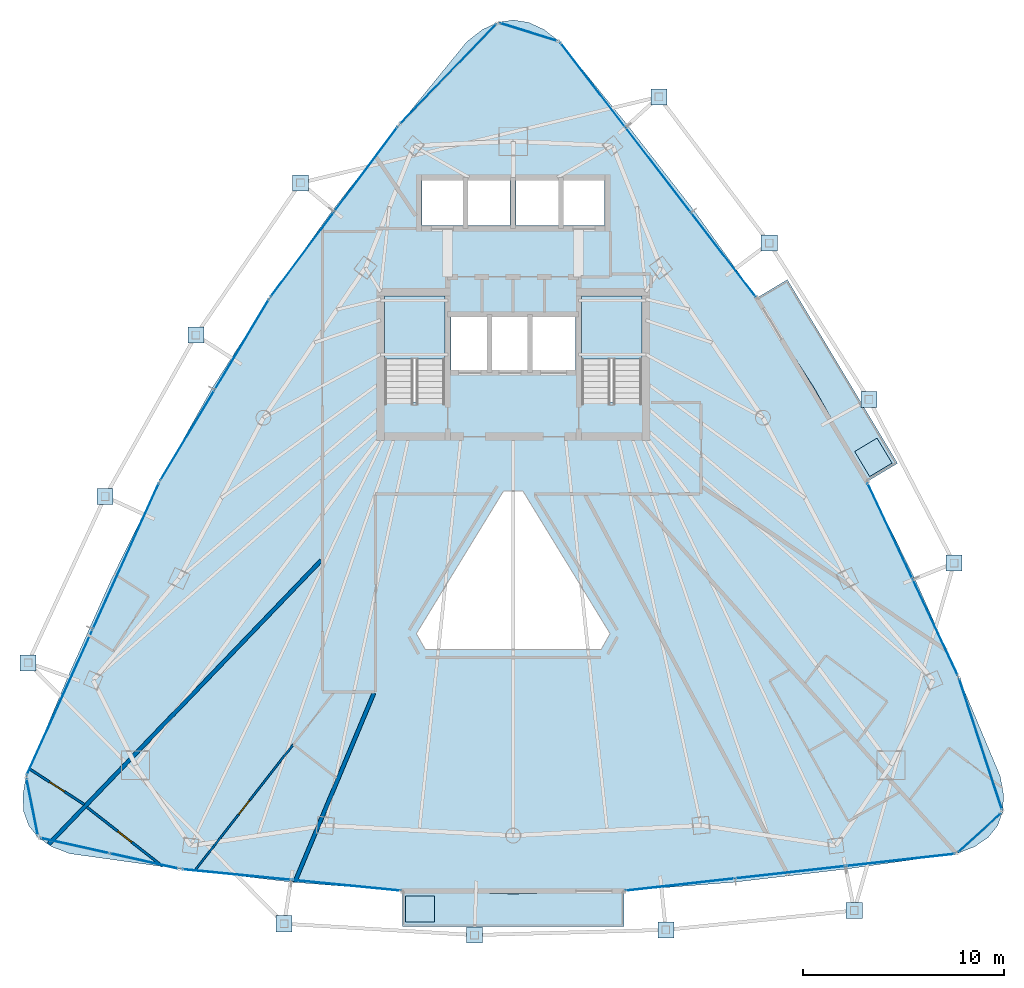
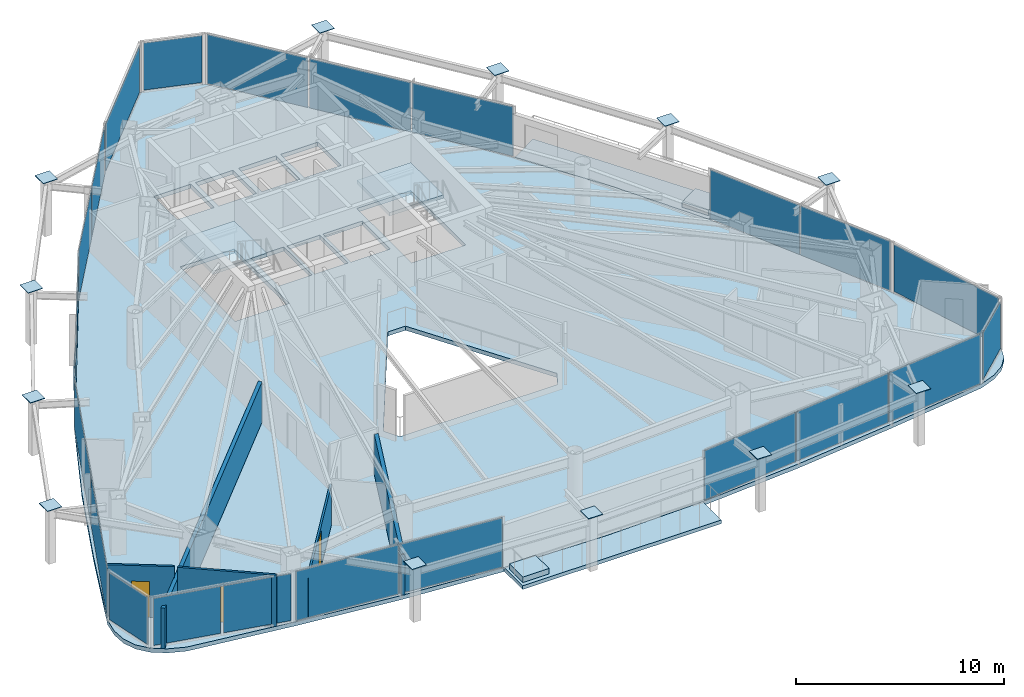
# One storey, part 25 of 31: 35 plates, 7 slabs, 5 walls, 3 doors, 3 openings, 15 elements without a shape of their own.
"""IFC4 building model written with IfcOpenShell, lengths in metres."""

from ifc_helpers import new_model, si_unit, direction, frame, frame_2d, origin, origin_2d, place, context, subcontext, project, spatial, polyline, rectangle, outline, extrude, material, layer, layer_set, type_object, element, fill, aggregate, save


model = new_model("IFC4")

# Units and contexts
model_context = context("Model", 3, precision=1e-05, world=origin(), true_north=direction((0.0, 1.0)))
body_context = subcontext(model_context, "Body", "Model", "MODEL_VIEW")
ifc_project = project(units=[si_unit("LENGTHUNIT", "METRE"), si_unit("AREAUNIT", "SQUARE_METRE"), si_unit("VOLUMEUNIT", "CUBIC_METRE"), si_unit("PLANEANGLEUNIT", "RADIAN"), si_unit("MASSUNIT", "GRAM", prefix="KILO")], contexts=[model_context])

# Site, building, storey
site_placement = place(None, origin())
site = spatial("IfcSite", under=ifc_project, at=site_placement, CompositionType="ELEMENT")
building_placement = place(site_placement, origin())
building = spatial("IfcBuilding", under=site, at=building_placement, Name="Orvanel Arch Residences", CompositionType="ELEMENT")
storey_placement = place(building_placement, frame((0.0, 0.0, 183.64990234375)))
storey = spatial("IfcBuildingStorey", under=building, at=storey_placement, Name="L52", CompositionType="ELEMENT", Elevation=183.64990234375)

# Plates
ifc_material_1 = material(Name="Structural steel AS/NZS 3678 Grade 350", Category="steel")
ifc_layer_1 = layer(ifc_material_1, 0.031982421875)
ifc_layer_set_1 = layer_set([ifc_layer_1], Name="Structural steel AS/NZS 3678 Grade 350")
plate_type_1 = type_object("IfcPlateType", Name="PL-CAP-32", PredefinedType="SHEET", material=ifc_layer_set_1)
for number, where, z_axis, x_axis, name in (
    (1, (22.4130859375, 39.3330078125, 3.2841796875), (0.0, 0.0, 1.0), (1.0, 0.0, 0.0), "L52 hollow member end cap plate"),
    (2, (17.2119140625, 31.759033203125, 3.2841796875), (0.0, 0.0, 1.0), (1.0, 0.0, 0.0), "L52 hollow member end cap plate"),
    (3, (12.69189453125, 23.721923828125, 3.2841796875), (0.0, 0.0, 1.0), (1.0, 0.0, 0.0), "L52 hollow member end cap plate"),
    (4, (8.85400390625, 15.445068359375, 3.2841796875), (0.0, 0.0, 1.0), (1.0, 0.0, 0.0), "L52 hollow member end cap plate"),
    (5, (21.59912109375, 2.4599609375, 3.2841796875), (0.0, 0.0, 1.0), (1.0, 0.0, 0.0), "L52 hollow member end cap plate"),
    (6, (31.073974609375, 1.89697265625, 3.2841796875), (0.0, 0.0, 1.0), (1.0, 0.0, 0.0), "L52 hollow member end cap plate"),
    (7, (40.593994140625, 2.154052734375, 3.2841796875), (0.0, 0.0, 1.0), (1.0, 0.0, 0.0), "L52 hollow member end cap plate"),
    (8, (49.97509765625, 3.118896484375, 3.2841796875), (0.0, 0.0, 1.0), (1.0, 0.0, 0.0), "L52 hollow member end cap plate"),
    (9, (54.93994140625, 20.406982421875, 3.2841796875), (0.0, 0.0, 1.0), (1.0, 0.0, 0.0), "L52 hollow member end cap plate"),
    (10, (50.7060546875, 28.56005859375, 3.2841796875), (0.0, 0.0, 1.0), (1.0, 0.0, 0.0), "L52 hollow member end cap plate"),
    (11, (45.743896484375, 36.33203125, 3.2841796875), (0.0, 0.0, 1.0), (1.0, 0.0, 0.0), "L52 hollow member end cap plate"),
    (12, (40.2490234375, 43.614990234375, 3.2841796875), (0.0, 0.0, 1.0), (1.0, 0.0, 0.0), "L52 hollow member end cap plate"),
):
    element("IfcPlate", number, at=place(storey_placement, frame(where, z_axis=z_axis, x_axis=x_axis)), inside=storey, type_object=plate_type_1, Name=name, PredefinedType="SHEET", context=body_context, shape_type="SweptSolid", body=[
        extrude(rectangle(XDim=0.800048828125, YDim=0.800048828125, at=origin_2d()), origin(), (0.0, 0.0, 1.0), 0.031982421875),
    ])

# Curtain wall, plates
ifc_material_2 = material(Name="Bronze-anodised aluminium AA6063-T6", Category="aluminium")
ifc_layer_2 = layer(ifc_material_2, 0.179931640625)
ifc_layer_set_2 = layer_set([ifc_layer_2], Name="Bronze-anodised aluminium AA6063-T6")
curtain_wall_type_1 = type_object("IfcCurtainWallType", Name="CW3-MID-SYS", PredefinedType="NOTDEFINED", material=ifc_layer_set_2)
curtain_wall_1_placement = place(storey_placement, origin())
curtain_wall_1 = element("IfcCurtainWall", 13, at=curtain_wall_1_placement, inside=storey, type_object=curtain_wall_type_1, Name="L52 CW3-MID-SYS Unitised Curtain Wall", PredefinedType="NOTDEFINED")
ifc_material_3 = material(Name="Double-glazed solar-control low-E safety glass", Category="glass")
ifc_layer_3 = layer(ifc_material_3, 0.028076171875)
ifc_layer_set_3 = layer_set([ifc_layer_3], Name="Double-glazed solar-control low-E safety glass")
plate_type_2 = type_object("IfcPlateType", Name="PNL-GLZ-28", PredefinedType="CURTAIN_PANEL", material=ifc_layer_set_3)
plate_1_placement = place(storey_placement, frame((25.673583984375, 40.014892578125, 0.06005859375), z_axis=(0.0, 0.0, 1.0), x_axis=(-0.598439994041, -0.801167631356, 0.0)))
plate_1 = element("IfcPlate", 14, at=plate_1_placement, type_object=plate_type_2, Name="CW-S3 panel 1.1", PredefinedType="CURTAIN_PANEL", context=body_context, shape_type="SweptSolid", body=[
    extrude(rectangle(XDim=5.232177734375, YDim=0.028076171875, at=origin_2d()), origin(), (0.0, 0.0, 1.0), 2.89990234375),
])
plate_2_placement = place(storey_placement, frame((22.50048828125, 35.76708984375, 0.06005859375), z_axis=(0.0, 0.0, 1.0), x_axis=(-0.598439994041, -0.801167631356, 0.0)))
plate_2 = element("IfcPlate", 15, at=plate_2_placement, type_object=plate_type_2, Name="CW-S3 panel 2.1", PredefinedType="CURTAIN_PANEL", context=body_context, shape_type="SweptSolid", body=[
    extrude(rectangle(XDim=5.232177734375, YDim=0.028076171875, at=origin_2d()), origin(), (0.0, 0.0, 1.0), 2.89990234375),
])
aggregate(curtain_wall_1, [plate_1, plate_2])

curtain_wall_2_placement = place(storey_placement, origin())
curtain_wall_2 = element("IfcCurtainWall", 16, at=curtain_wall_2_placement, inside=storey, type_object=curtain_wall_type_1, Name="L52 CW3-MID-SYS Unitised Curtain Wall", PredefinedType="NOTDEFINED")
plate_3_placement = place(storey_placement, frame((19.496337890625, 31.2900390625, 0.06005859375), z_axis=(0.0, 0.0, 1.0), x_axis=(-0.514371132502, -0.857567687153, 0.0)))
plate_3 = element("IfcPlate", 17, at=plate_3_placement, type_object=plate_type_2, Name="CW-S3 panel 1.1", PredefinedType="CURTAIN_PANEL", context=body_context, shape_type="SweptSolid", body=[
    extrude(rectangle(XDim=5.205322265625, YDim=0.028076171875, at=origin_2d()), origin(), (0.0, 0.0, 1.0), 2.89990234375),
])
plate_4_placement = place(storey_placement, frame((16.78271484375, 26.76611328125, 0.06005859375), z_axis=(0.0, 0.0, 1.0), x_axis=(-0.514371132502, -0.857567687153, 0.0)))
plate_4 = element("IfcPlate", 18, at=plate_4_placement, type_object=plate_type_2, Name="CW-S3 panel 2.1", PredefinedType="CURTAIN_PANEL", context=body_context, shape_type="SweptSolid", body=[
    extrude(rectangle(XDim=5.205322265625, YDim=0.028076171875, at=origin_2d()), origin(), (0.0, 0.0, 1.0), 2.89990234375),
])
aggregate(curtain_wall_2, [plate_3, plate_4])

curtain_wall_3_placement = place(storey_placement, origin())
curtain_wall_3 = element("IfcCurtainWall", 19, at=curtain_wall_3_placement, inside=storey, type_object=curtain_wall_type_1, Name="L52 CW3-MID-SYS Unitised Curtain Wall", PredefinedType="NOTDEFINED")
plate_5_placement = place(storey_placement, frame((13.726806640625, 20.766357421875, 0.06005859375), z_axis=(0.0, 0.0, 1.0), x_axis=(-0.412530955809, -0.910943582501, 0.0)))
plate_5 = element("IfcPlate", 20, at=plate_5_placement, type_object=plate_type_2, Name="CW-S3 panel 1.1", PredefinedType="CURTAIN_PANEL", context=body_context, shape_type="SweptSolid", body=[
    extrude(rectangle(XDim=7.923583984375, YDim=0.028076171875, at=origin_2d()), origin(), (0.0, 0.0, 1.0), 2.89990234375),
])
plate_6_placement = place(storey_placement, frame((10.42919921875, 13.484619140625, 0.06005859375), z_axis=(0.0, 0.0, 1.0), x_axis=(-0.412530955809, -0.910943582501, 0.0)))
plate_6 = element("IfcPlate", 21, at=plate_6_placement, type_object=plate_type_2, Name="CW-S3 panel 2.1", PredefinedType="CURTAIN_PANEL", context=body_context, shape_type="SweptSolid", body=[
    extrude(rectangle(XDim=7.923583984375, YDim=0.028076171875, at=origin_2d()), origin(), (0.0, 0.0, 1.0), 2.89990234375),
])
aggregate(curtain_wall_3, [plate_5, plate_6])

curtain_wall_4_placement = place(storey_placement, origin())
curtain_wall_4 = element("IfcCurtainWall", 22, at=curtain_wall_4_placement, inside=storey, type_object=curtain_wall_type_1, Name="L52 CW3-MID-SYS Unitised Curtain Wall", PredefinedType="NOTDEFINED")
plate_7_placement = place(storey_placement, frame((19.23828125, 4.906494140625, 0.06005859375), z_axis=(0.0, 0.0, 1.0), x_axis=(0.995215758482, -0.097701556124, 0.0)))
plate_7 = element("IfcPlate", 23, at=plate_7_placement, type_object=plate_type_2, Name="CW-S3 panel 1.1", PredefinedType="CURTAIN_PANEL", context=body_context, shape_type="SweptSolid", body=[
    extrude(rectangle(XDim=5.4169921875, YDim=0.028076171875, at=origin_2d()), origin(), (0.0, 0.0, 1.0), 2.89990234375),
])
plate_8_placement = place(storey_placement, frame((24.69873046875, 4.370361328125, 0.06005859375), z_axis=(0.0, 0.0, 1.0), x_axis=(0.995215758482, -0.097701556124, 0.0)))
plate_8 = element("IfcPlate", 24, at=plate_8_placement, type_object=plate_type_2, Name="CW-S3 panel 2.1", PredefinedType="CURTAIN_PANEL", context=body_context, shape_type="SweptSolid", body=[
    extrude(rectangle(XDim=5.4169921875, YDim=0.028076171875, at=origin_2d()), origin(), (0.0, 0.0, 1.0), 2.89990234375),
])
aggregate(curtain_wall_4, [plate_7, plate_8])

curtain_wall_5_placement = place(storey_placement, origin())
curtain_wall_5 = element("IfcCurtainWall", 25, at=curtain_wall_5_placement, inside=storey, type_object=curtain_wall_type_1, Name="L52 CW3-MID-SYS Unitised Curtain Wall", PredefinedType="NOTDEFINED")
plate_9_placement = place(storey_placement, frame((41.304443359375, 4.408447265625, 0.06005859375), z_axis=(0.0, 0.0, 1.0), x_axis=(0.993811570836, 0.111079078463, 0.0)))
plate_9 = element("IfcPlate", 26, at=plate_9_placement, type_object=plate_type_2, Name="CW-S3 panel 1.1", PredefinedType="CURTAIN_PANEL", context=body_context, shape_type="SweptSolid", body=[
    extrude(rectangle(XDim=5.431640625, YDim=0.028076171875, at=origin_2d()), origin(), (0.0, 0.0, 1.0), 2.89990234375),
])
plate_10_placement = place(storey_placement, frame((46.78955078125, 5.021484375, 0.06005859375), z_axis=(0.0, 0.0, 1.0), x_axis=(0.993811570836, 0.111079078463, 0.0)))
plate_10 = element("IfcPlate", 27, at=plate_10_placement, type_object=plate_type_2, Name="CW-S3 panel 2.1", PredefinedType="CURTAIN_PANEL", context=body_context, shape_type="SweptSolid", body=[
    extrude(rectangle(XDim=5.466552734375, YDim=0.028076171875, at=origin_2d()), origin(), (0.0, 0.0, 1.0), 2.89990234375),
])
plate_11_placement = place(storey_placement, frame((52.2744140625, 5.634521484375, 0.06005859375), z_axis=(0.0, 0.0, 1.0), x_axis=(0.993811570836, 0.111079078463, 0.0)))
plate_11 = element("IfcPlate", 28, at=plate_11_placement, type_object=plate_type_2, Name="CW-S3 panel 3.1", PredefinedType="CURTAIN_PANEL", context=body_context, shape_type="SweptSolid", body=[
    extrude(rectangle(XDim=5.431640625, YDim=0.028076171875, at=origin_2d()), origin(), (0.0, 0.0, 1.0), 2.89990234375),
])
aggregate(curtain_wall_5, [plate_9, plate_10, plate_11])

curtain_wall_6_placement = place(storey_placement, origin())
curtain_wall_6 = element("IfcCurtainWall", 29, at=curtain_wall_6_placement, inside=storey, type_object=curtain_wall_type_1, Name="L52 CW3-MID-SYS Unitised Curtain Wall", PredefinedType="NOTDEFINED")
plate_12_placement = place(storey_placement, frame((54.00634765625, 17.20751953125, 0.06005859375), z_axis=(0.0, 0.0, 1.0), x_axis=(-0.425007396362, 0.905189876787, 0.0)))
plate_12 = element("IfcPlate", 30, at=plate_12_placement, type_object=plate_type_2, Name="CW-S3 panel 1.1", PredefinedType="CURTAIN_PANEL", context=body_context, shape_type="SweptSolid", body=[
    extrude(rectangle(XDim=5.232666015625, YDim=0.028076171875, at=origin_2d()), origin(), (0.0, 0.0, 1.0), 2.89990234375),
])
plate_13_placement = place(storey_placement, frame((51.752685546875, 22.00732421875, 0.06005859375), z_axis=(0.0, 0.0, 1.0), x_axis=(-0.425007396362, 0.905189876787, 0.0)))
plate_13 = element("IfcPlate", 31, at=plate_13_placement, type_object=plate_type_2, Name="CW-S3 panel 2.1", PredefinedType="CURTAIN_PANEL", context=body_context, shape_type="SweptSolid", body=[
    extrude(rectangle(XDim=5.232666015625, YDim=0.028076171875, at=origin_2d()), origin(), (0.0, 0.0, 1.0), 2.89990234375),
])
aggregate(curtain_wall_6, [plate_12, plate_13])

curtain_wall_7_placement = place(storey_placement, origin())
curtain_wall_7 = element("IfcCurtainWall", 32, at=curtain_wall_7_placement, inside=storey, type_object=curtain_wall_type_1, Name="L52 CW3-MID-SYS Unitised Curtain Wall", PredefinedType="NOTDEFINED")
plate_14_placement = place(storey_placement, frame((43.465087890625, 35.75048828125, 0.06005859375), z_axis=(0.0, 0.0, 1.0), x_axis=(-0.609533166868, 0.792760568197, 0.0)))
plate_14 = element("IfcPlate", 33, at=plate_14_placement, type_object=plate_type_2, Name="CW-S3 panel 1.1", PredefinedType="CURTAIN_PANEL", context=body_context, shape_type="SweptSolid", body=[
    extrude(rectangle(XDim=5.2470703125, YDim=0.028076171875, at=origin_2d()), origin(), (0.0, 0.0, 1.0), 2.89990234375),
])
plate_15_placement = place(storey_placement, frame((40.21337890625, 39.9794921875, 0.06005859375), z_axis=(0.0, 0.0, 1.0), x_axis=(-0.609533166868, 0.792760568197, 0.0)))
plate_15 = element("IfcPlate", 34, at=plate_15_placement, type_object=plate_type_2, Name="CW-S3 panel 2.1", PredefinedType="CURTAIN_PANEL", context=body_context, shape_type="SweptSolid", body=[
    extrude(rectangle(XDim=5.2822265625, YDim=0.028076171875, at=origin_2d()), origin(), (0.0, 0.0, 1.0), 2.89990234375),
])
plate_16_placement = place(storey_placement, frame((36.9619140625, 44.208740234375, 0.06005859375), z_axis=(0.0, 0.0, 1.0), x_axis=(-0.609533166868, 0.792760568197, 0.0)))
plate_16 = element("IfcPlate", 35, at=plate_16_placement, type_object=plate_type_2, Name="CW-S3 panel 3.1", PredefinedType="CURTAIN_PANEL", context=body_context, shape_type="SweptSolid", body=[
    extrude(rectangle(XDim=5.2470703125, YDim=0.028076171875, at=origin_2d()), origin(), (0.0, 0.0, 1.0), 2.89990234375),
])
aggregate(curtain_wall_7, [plate_14, plate_15, plate_16])

# Curtain wall, plate
ifc_layer_4 = layer(ifc_material_2, 0.18994140625)
ifc_layer_set_4 = layer_set([ifc_layer_4], Name="Bronze-anodised aluminium AA6063-T6")
curtain_wall_type_2 = type_object("IfcCurtainWallType", Name="CW5-CRN-SYS", PredefinedType="NOTDEFINED", material=ifc_layer_set_4)
curtain_wall_8_placement = place(storey_placement, origin())
curtain_wall_8 = element("IfcCurtainWall", 36, at=curtain_wall_8_placement, inside=storey, type_object=curtain_wall_type_2, Name="L52 CW5-CRN-SYS Unitised Curtain Wall", PredefinedType="NOTDEFINED")
ifc_layer_5 = layer(ifc_material_3, 0.031982421875)
ifc_layer_set_5 = layer_set([ifc_layer_5], Name="Double-glazed solar-control low-E safety glass")
plate_type_3 = type_object("IfcPlateType", Name="PNL-GLZ-32", PredefinedType="CURTAIN_PANEL", material=ifc_layer_set_5)
plate_17_placement = place(storey_placement, frame((33.76953125, 46.839111328125, 0.1298828125), z_axis=(0.0, 0.0, 1.0), x_axis=(-0.954809233142, 0.297219326942, 0.0)))
plate_17 = element("IfcPlate", 37, at=plate_17_placement, type_object=plate_type_3, Name="CW-S5 panel 1.1", PredefinedType="CURTAIN_PANEL", context=body_context, shape_type="SweptSolid", body=[
    extrude(rectangle(XDim=2.8828125, YDim=0.031982421875, at=origin_2d()), origin(), (0.0, 0.0, 1.0), 2.760009765625),
])
aggregate(curtain_wall_8, [plate_17])

curtain_wall_9_placement = place(storey_placement, origin())
curtain_wall_9 = element("IfcCurtainWall", 38, at=curtain_wall_9_placement, inside=storey, type_object=curtain_wall_type_2, Name="L52 CW5-CRN-SYS Unitised Curtain Wall", PredefinedType="NOTDEFINED")
plate_18_placement = place(storey_placement, frame((29.761962890625, 44.75048828125, 0.1298828125), z_axis=(0.0, 0.0, 1.0), x_axis=(-0.693066401393, -0.720873749875, 0.0)))
plate_18 = element("IfcPlate", 39, at=plate_18_placement, type_object=plate_type_3, Name="CW-S5 panel 1.1", PredefinedType="CURTAIN_PANEL", context=body_context, shape_type="SweptSolid", body=[
    extrude(rectangle(XDim=6.784423828125, YDim=0.031982421875, at=origin_2d()), origin(), (0.0, 0.0, 1.0), 2.760009765625),
])
aggregate(curtain_wall_9, [plate_18])

curtain_wall_10_placement = place(storey_placement, origin())
curtain_wall_10 = element("IfcCurtainWall", 40, at=curtain_wall_10_placement, inside=storey, type_object=curtain_wall_type_2, Name="L52 CW5-CRN-SYS Unitised Curtain Wall", PredefinedType="NOTDEFINED")
plate_19_placement = place(storey_placement, frame((9.0615234375, 8.27197265625, 0.1298828125), z_axis=(0.0, 0.0, 1.0), x_axis=(0.195551071234, -0.980693519169, 0.0)))
plate_19 = element("IfcPlate", 41, at=plate_19_placement, type_object=plate_type_3, Name="CW-S5 panel 1.1", PredefinedType="CURTAIN_PANEL", context=body_context, shape_type="SweptSolid", body=[
    extrude(rectangle(XDim=2.76318359375, YDim=0.031982421875, at=origin_2d()), origin(), (0.0, 0.0, 1.0), 2.760009765625),
])
aggregate(curtain_wall_10, [plate_19])

# Curtain wall, plates
curtain_wall_11_placement = place(storey_placement, origin())
curtain_wall_11 = element("IfcCurtainWall", 42, at=curtain_wall_11_placement, inside=storey, type_object=curtain_wall_type_2, Name="L52 CW5-CRN-SYS Unitised Curtain Wall", PredefinedType="NOTDEFINED")
plate_20_placement = place(storey_placement, frame((11.18359375, 6.347412109375, 0.1298828125), z_axis=(0.0, 0.0, 1.0), x_axis=(0.976310757016, -0.216373070724, 0.0)))
plate_20 = element("IfcPlate", 43, at=plate_20_placement, type_object=plate_type_3, Name="CW-S5 panel 1.1", PredefinedType="CURTAIN_PANEL", context=body_context, shape_type="SweptSolid", body=[
    extrude(rectangle(XDim=3.384521484375, YDim=0.031982421875, at=origin_2d()), origin(), (0.0, 0.0, 1.0), 2.760009765625),
])
plate_21_placement = place(storey_placement, frame((14.63427734375, 5.58251953125, 0.1298828125), z_axis=(0.0, 0.0, 1.0), x_axis=(0.976310757016, -0.216373070724, 0.0)))
plate_21 = element("IfcPlate", 44, at=plate_21_placement, type_object=plate_type_3, Name="CW-S5 panel 2.1", PredefinedType="CURTAIN_PANEL", context=body_context, shape_type="SweptSolid", body=[
    extrude(rectangle(XDim=3.384521484375, YDim=0.031982421875, at=origin_2d()), origin(), (0.0, 0.0, 1.0), 2.760009765625),
])
aggregate(curtain_wall_11, [plate_20, plate_21])

# Curtain wall, plate
curtain_wall_12_placement = place(storey_placement, origin())
curtain_wall_12 = element("IfcCurtainWall", 45, at=curtain_wall_12_placement, inside=storey, type_object=curtain_wall_type_2, Name="L52 CW5-CRN-SYS Unitised Curtain Wall", PredefinedType="NOTDEFINED")
plate_22_placement = place(storey_placement, frame((56.2119140625, 6.989013671875, 0.1298828125), z_axis=(0.0, 0.0, 1.0), x_axis=(0.740235370791, 0.672347823548, 0.0)))
plate_22 = element("IfcPlate", 46, at=plate_22_placement, type_object=plate_type_3, Name="CW-S5 panel 1.1", PredefinedType="CURTAIN_PANEL", context=body_context, shape_type="SweptSolid", body=[
    extrude(rectangle(XDim=2.763916015625, YDim=0.031982421875, at=origin_2d()), origin(), (0.0, 0.0, 1.0), 2.760009765625),
])
aggregate(curtain_wall_12, [plate_22])

curtain_wall_13_placement = place(storey_placement, origin())
curtain_wall_13 = element("IfcCurtainWall", 47, at=curtain_wall_13_placement, inside=storey, type_object=curtain_wall_type_2, Name="L52 CW5-CRN-SYS Unitised Curtain Wall", PredefinedType="NOTDEFINED")
plate_23_placement = place(storey_placement, frame((56.259033203125, 11.39501953125, 0.1298828125), z_axis=(0.0, 0.0, 1.0), x_axis=(-0.311449715192, 0.9502626347, 0.0)))
plate_23 = element("IfcPlate", 48, at=plate_23_placement, type_object=plate_type_3, Name="CW-S5 panel 1.1", PredefinedType="CURTAIN_PANEL", context=body_context, shape_type="SweptSolid", body=[
    extrude(rectangle(XDim=6.738037109375, YDim=0.031982421875, at=origin_2d()), origin(), (0.0, 0.0, 1.0), 2.760009765625),
])
aggregate(curtain_wall_13, [plate_23])

# Slabs
ifc_material_4 = material(Name="Concrete N40 (40 MPa)", Category="concrete")
ifc_layer_6 = layer(ifc_material_4, 0.215087890625)
ifc_layer_set_6 = layer_set([ifc_layer_6], Name="Concrete N40 (40 MPa)")
slab_type_1 = type_object("IfcSlabType", Name="SLB-BAL-215", PredefinedType="FLOOR", material=ifc_layer_set_6)
slab_1_placement = place(storey_placement, frame((0.0, 0.0, -0.21484375)))
element("IfcSlab", 49, at=slab_1_placement, inside=storey, type_object=slab_type_1, Name="L52 Cantilevered Balcony Slab Face 2", PredefinedType="FLOOR", context=body_context, shape_type="SweptSolid", body=[
    extrude(outline(polyline([(27.48388671875, 2.31689453125), (38.51611328125, 2.31689453125), (38.51611328125, 4.096923828125), (33.0, 3.945068359375), (27.48388671875, 4.096923828125), (27.48388671875, 2.31689453125)])), origin(), (0.0, 0.0, 1.0), 0.21484375),
])
slab_2_placement = place(storey_placement, frame((0.0, 0.0, -0.21484375)))
element("IfcSlab", 50, at=slab_2_placement, inside=storey, type_object=slab_type_1, Name="L52 Cantilevered Balcony Slab Face 3", PredefinedType="FLOOR", context=body_context, shape_type="SweptSolid", body=[
    extrude(outline(polyline([(52.12890625, 25.373046875), (46.64501953125, 34.514892578125), (45.118896484375, 33.59912109375), (47.990966796875, 29.10595703125), (50.60205078125, 24.45703125), (52.12890625, 25.373046875)])), origin(), (0.0, 0.0, 1.0), 0.21484375),
])

# Stair, slab
ifc_material_5 = material(Name="Precast concrete N50 (50 MPa)", Category="concrete")
stair_type = type_object("IfcStairType", Name="STR-DOG-184", PredefinedType="USERDEFINED", material=ifc_material_5)
stair_1_placement = place(storey_placement, origin())
stair_1 = element("IfcStair", 51, at=stair_1_placement, inside=storey, type_object=stair_type, Name="L52 Fire-Isolated Core Exit Stair 1", ObjectType="TWO_RETURN_STAIR", PredefinedType="USERDEFINED")
ifc_layer_7 = layer(ifc_material_4, 0.199951171875)
ifc_layer_set_7 = layer_set([ifc_layer_7], Name="Concrete N40 (40 MPa)")
slab_type_2 = type_object("IfcSlabType", Name="SLB-LND-200", PredefinedType="LANDING", material=ifc_layer_set_7)
slab_3_placement = place(storey_placement, frame((0.0, 0.0, 1.4501953125)))
slab_3 = element("IfcSlab", 52, at=slab_3_placement, type_object=slab_type_2, Name="ST-1 landing 1", PredefinedType="LANDING", context=body_context, shape_type="SweptSolid", body=[
    extrude(outline(polyline([(29.60009765625, 30.56005859375), (29.60009765625, 33.699951171875), (26.60009765625, 33.699951171875), (26.60009765625, 30.56005859375), (29.60009765625, 30.56005859375)])), origin(), (0.0, 0.0, 1.0), 0.199951171875),
])
aggregate(stair_1, [slab_3])

stair_2_placement = place(storey_placement, origin())
stair_2 = element("IfcStair", 53, at=stair_2_placement, inside=storey, type_object=stair_type, Name="L52 Fire-Isolated Core Exit Stair 2", ObjectType="TWO_RETURN_STAIR", PredefinedType="USERDEFINED")
slab_4_placement = place(storey_placement, frame((0.0, 0.0, 1.4501953125)))
slab_4 = element("IfcSlab", 54, at=slab_4_placement, type_object=slab_type_2, Name="ST-2 landing 1", PredefinedType="LANDING", context=body_context, shape_type="SweptSolid", body=[
    extrude(outline(polyline([(39.39990234375, 30.56005859375), (39.39990234375, 33.699951171875), (36.39990234375, 33.699951171875), (36.39990234375, 30.56005859375), (39.39990234375, 30.56005859375)])), origin(), (0.0, 0.0, 1.0), 0.199951171875),
])
aggregate(stair_2, [slab_4])

# Slabs
ifc_material_6 = material(Name="Structural architectural precast concrete N40 (40 MPa) planter", Category="concrete")
ifc_layer_8 = layer(ifc_material_6, 0.320068359375)
ifc_layer_set_8 = layer_set([ifc_layer_8], Name="Structural architectural precast concrete N40 (40 MPa) planter")
slab_type_3 = type_object("IfcSlabType", Name="SLB-PLN-320", PredefinedType="USERDEFINED", material=ifc_layer_set_8)
slab_5_placement = place(storey_placement, origin())
element("IfcSlab", 55, at=slab_5_placement, inside=storey, type_object=slab_type_3, Name="L52 Balcony TREE PLANTER Face 2", ObjectType="PLANTER", PredefinedType="USERDEFINED", context=body_context, shape_type="SweptSolid", body=[
    extrude(outline(polyline([(27.634033203125, 2.547119140625), (29.083984375, 2.547119140625), (29.083984375, 3.846923828125), (27.634033203125, 3.846923828125), (27.634033203125, 2.547119140625)])), origin(), (0.0, 0.0, 1.0), 0.320068359375),
])
slab_6_placement = place(storey_placement, origin())
element("IfcSlab", 56, at=slab_6_placement, inside=storey, type_object=slab_type_3, Name="L52 Balcony TREE PLANTER Face 3", ObjectType="PLANTER", PredefinedType="USERDEFINED", context=body_context, shape_type="SweptSolid", body=[
    extrude(outline(polyline([(51.85498046875, 25.383056640625), (51.10888671875, 26.626953125), (49.993896484375, 25.9580078125), (50.739990234375, 24.715087890625), (51.85498046875, 25.383056640625)])), origin(), (0.0, 0.0, 1.0), 0.320068359375),
])
ifc_layer_9 = layer(ifc_material_4, 0.239990234375)
ifc_layer_set_9 = layer_set([ifc_layer_9], Name="Concrete N40 (40 MPa)")
slab_type_4 = type_object("IfcSlabType", Name="SLB-TYP-240", PredefinedType="FLOOR", material=ifc_layer_set_9)
slab_7_placement = place(storey_placement, frame((0.0, 0.0, -0.239990234375)))
element("IfcSlab", 57, at=slab_7_placement, inside=storey, type_object=slab_type_4, Name="L52 Tower Floor Slab", PredefinedType="FLOOR", context=body_context, shape_type="SweptSolid", body=[
    extrude(outline(polyline([(35.30810546875, 46.360107421875), (34.5390625, 46.958984375), (33.76904296875, 47.318115234375), (33.0, 47.43798828125), (32.23095703125, 47.318115234375), (31.4609375, 46.958984375), (30.69189453125, 46.360107421875), (27.29296875, 42.18310546875), (23.9951171875, 37.947021484375), (20.881103515625, 33.59912109375), (18.009033203125, 29.10595703125), (15.39794921875, 24.45703125), (13.028076171875, 19.6630859375), (10.843017578125, 14.758056640625), (8.758056640625, 9.7939453125), (8.592041015625, 8.85302734375), (8.638916015625, 8.031982421875), (8.89599609375, 7.3310546875), (9.364990234375, 6.75), (10.044921875, 6.2880859375), (10.93701171875, 5.946044921875), (16.452880859375, 5.179931640625), (21.968017578125, 4.531005859375), (27.48388671875, 4.096923828125), (33.0, 3.945068359375), (38.51611328125, 4.096923828125), (44.031982421875, 4.531005859375), (49.547119140625, 5.179931640625), (55.06298828125, 5.946044921875), (55.955078125, 6.2880859375), (56.635009765625, 6.75), (57.10400390625, 7.3310546875), (57.361083984375, 8.031982421875), (57.407958984375, 8.85302734375), (57.241943359375, 9.7939453125), (55.156982421875, 14.758056640625), (52.971923828125, 19.6630859375), (50.60205078125, 24.45703125), (47.990966796875, 29.10595703125), (45.118896484375, 33.59912109375), (42.0048828125, 37.947021484375), (38.70703125, 42.18310546875), (35.30810546875, 46.360107421875)]), holes=[polyline([(26.60009765625, 28.429931640625), (26.60009765625, 33.699951171875), (29.60009765625, 33.699951171875), (29.60009765625, 28.429931640625), (26.60009765625, 28.429931640625)]), polyline([(36.39990234375, 28.429931640625), (36.39990234375, 33.699951171875), (39.39990234375, 33.699951171875), (39.39990234375, 28.429931640625), (36.39990234375, 28.429931640625)]), polyline([(29.89990234375, 32.64990234375), (31.75, 32.64990234375), (31.75, 29.949951171875), (29.89990234375, 29.949951171875), (29.89990234375, 32.64990234375)]), polyline([(31.89990234375, 32.64990234375), (33.75, 32.64990234375), (33.75, 29.949951171875), (31.89990234375, 29.949951171875), (31.89990234375, 32.64990234375)]), polyline([(33.89990234375, 32.64990234375), (36.10009765625, 32.64990234375), (36.10009765625, 29.949951171875), (33.89990234375, 29.949951171875), (33.89990234375, 32.64990234375)]), polyline([(28.449951171875, 39.449951171875), (30.5, 39.449951171875), (30.5, 37.199951171875), (28.449951171875, 37.199951171875), (28.449951171875, 39.449951171875)]), polyline([(35.5, 39.449951171875), (37.550048828125, 39.449951171875), (37.550048828125, 37.199951171875), (35.5, 37.199951171875), (35.5, 39.449951171875)]), polyline([(30.75, 39.449951171875), (32.85009765625, 39.449951171875), (32.85009765625, 37.199951171875), (30.75, 37.199951171875), (30.75, 39.449951171875)]), polyline([(33.14990234375, 39.449951171875), (35.25, 39.449951171875), (35.25, 37.199951171875), (33.14990234375, 37.199951171875), (33.14990234375, 39.449951171875)]), polyline([(37.822021484375, 16.90087890625), (37.373046875, 16.10107421875), (28.626953125, 16.10107421875), (28.177978515625, 16.90087890625), (32.510986328125, 23.988037109375), (33.489013671875, 23.988037109375), (37.822021484375, 16.90087890625)])]), origin(), (0.0, 0.0, 1.0), 0.239990234375),
])

# Walls
ifc_material_7 = material(Name="Fire-rated plasterboard lined steel stud partition", Category="steel")
ifc_layer_10 = layer(ifc_material_7, 0.199951171875)
ifc_layer_set_10 = layer_set([ifc_layer_10], Name="Fire-rated plasterboard lined steel stud partition")
wall_type_1 = type_object("IfcWallType", Name="W-DEM-200", PredefinedType="PARTITIONING", material=ifc_layer_set_10)
wall_1_placement = place(storey_placement, frame((22.131103515625, 4.531982421875, 0.0), z_axis=(0.0, 0.0, 1.0), x_axis=(0.38611914038, 0.922448919687, 0.0)))
element("IfcWall", 58, at=wall_1_placement, inside=storey, type_object=wall_type_1, Name="L52 Inter-Tenancy Acoustic Demising Wall", PredefinedType="PARTITIONING", context=body_context, shape_type="SweptSolid", body=[
    extrude(rectangle(XDim=10.198974609375, YDim=0.199951171875, at=frame_2d((5.099609375, 0.0))), origin(), (0.0, 0.0, 1.0), 2.373046875),
])
wall_2_placement = place(storey_placement, frame((23.43994140625, 20.5419921875, 0.0), z_axis=(0.0, 0.0, 1.0), x_axis=(-0.692558302481, -0.721361904777, 0.0)))
element("IfcWall", 59, at=wall_2_placement, inside=storey, type_object=wall_type_1, Name="L52 Inter-Tenancy Acoustic Demising Wall", PredefinedType="PARTITIONING", context=body_context, shape_type="SweptSolid", body=[
    extrude(rectangle(XDim=19.57958984375, YDim=0.199951171875, at=frame_2d((9.789794921875, 0.0))), origin(), (0.0, 0.0, 1.0), 2.373046875),
])

# Wall, opening, door
ifc_material_8 = material(Name="Acoustic plasterboard lined twin-stud partition", Category="gypsum")
ifc_layer_11 = layer(ifc_material_8, 0.10009765625)
ifc_layer_set_11 = layer_set([ifc_layer_11], Name="Acoustic plasterboard lined twin-stud partition")
wall_type_2 = type_object("IfcWallType", Name="W-INT-100", PredefinedType="PARTITIONING", material=ifc_layer_set_11)
wall_3_placement = place(storey_placement, frame((22.056884765625, 11.385009765625, 0.0), z_axis=(0.0, 0.0, 1.0), x_axis=(-0.61561191154, -0.78804947457, 0.0)))
wall_3 = element("IfcWall", 60, at=wall_3_placement, inside=storey, type_object=wall_type_2, Name="L52 Flat B Internal Partition", PredefinedType="PARTITIONING", context=body_context, shape_type="SweptSolid", body=[
    extrude(rectangle(XDim=7.962646484375, YDim=0.10009765625, at=frame_2d((3.9814453125, 0.0))), origin(), (0.0, 0.0, 1.0), 2.373046875),
])
opening_1_placement = place(wall_3_placement, frame((3.541015625, 0.0, 0.0)))
opening_1 = element("IfcOpeningElement", 61, at=opening_1_placement, cuts=wall_3, Name="Opening DI-088", PredefinedType="OPENING", context=body_context, shape_type="SweptSolid", body=[
    extrude(rectangle(XDim=0.8798828125, YDim=2.10009765625, at=frame_2d((0.43994140625, 1.050048828125))), frame((0.0, 0.06005859375, 0.0), z_axis=(0.0, -1.0, 0.0), x_axis=(1.0, 0.0, 0.0)), (0.0, 0.0, 1.0), 0.1201171875),
])
ifc_material_9 = material(Name="Solid-core European oak veneer fire door leaf", Category="wood")
door_type = type_object("IfcDoorType", Name="DR-INT-880", OperationType="NOTDEFINED", PredefinedType="DOOR", material=ifc_material_9)
door_1_placement = place(opening_1_placement, origin())
door_1 = element("IfcDoor", 62, at=door_1_placement, inside=storey, type_object=door_type, Name="DR-L52-B-BED1 L52 Flat B Bedroom 1 Door", OperationType="SINGLE_SWING_LEFT", OverallHeight=2.10009765625, OverallWidth=0.8798828125, PredefinedType="DOOR", context=body_context, shape_type="SweptSolid", body=[
    extrude(rectangle(XDim=0.8798828125, YDim=2.10009765625, at=frame_2d((0.43994140625, 1.050048828125))), frame((0.0, 0.02490234375, 0.0), z_axis=(0.0, -1.0, 0.0), x_axis=(1.0, 0.0, 0.0)), (0.0, 0.0, 1.0), 0.050048828125),
])
fill(opening_1, door_1)

ifc_layer_12 = layer(ifc_material_8, 0.1201171875)
ifc_layer_set_12 = layer_set([ifc_layer_12], Name="Acoustic plasterboard lined twin-stud partition")
wall_type_3 = type_object("IfcWallType", Name="W-WET-120", PredefinedType="PARTITIONING", material=ifc_layer_set_12)
wall_4_placement = place(storey_placement, frame((11.658935546875, 8.39306640625, 0.0), z_axis=(0.0, 0.0, 1.0), x_axis=(-0.838933513053, 0.544233920916, 0.0)))
wall_4 = element("IfcWall", 63, at=wall_4_placement, inside=storey, type_object=wall_type_3, Name="L52 Studio A Internal Partition", PredefinedType="PARTITIONING", context=body_context, shape_type="SweptSolid", body=[
    extrude(rectangle(XDim=3.254150390625, YDim=0.1201171875, at=frame_2d((1.626953125, 0.0))), origin(), (0.0, 0.0, 1.0), 3.02001953125),
])
opening_2_placement = place(wall_4_placement, frame((1.18603515625, 0.0, 0.0)))
opening_2 = element("IfcOpeningElement", 64, at=opening_2_placement, cuts=wall_4, Name="Opening DI-088", PredefinedType="OPENING", context=body_context, shape_type="SweptSolid", body=[
    extrude(rectangle(XDim=0.8798828125, YDim=2.10009765625, at=frame_2d((0.43994140625, 1.050048828125))), frame((0.0, 0.070068359375, 0.0), z_axis=(0.0, -1.0, 0.0), x_axis=(1.0, 0.0, 0.0)), (0.0, 0.0, 1.0), 0.14013671875),
])
door_2_placement = place(opening_2_placement, origin())
door_2 = element("IfcDoor", 65, at=door_2_placement, inside=storey, type_object=door_type, Name="DR-L52-A-KIT L52 Studio A Kitchenette Door", OperationType="SINGLE_SWING_LEFT", OverallHeight=2.10009765625, OverallWidth=0.8798828125, PredefinedType="DOOR", context=body_context, shape_type="SweptSolid", body=[
    extrude(rectangle(XDim=0.8798828125, YDim=2.10009765625, at=frame_2d((0.43994140625, 1.050048828125))), frame((0.0, 0.02490234375, 0.0), z_axis=(0.0, -1.0, 0.0), x_axis=(1.0, 0.0, 0.0)), (0.0, 0.0, 1.0), 0.050048828125),
])
fill(opening_2, door_2)

wall_5_placement = place(storey_placement, frame((15.56005859375, 5.31201171875, 0.0), z_axis=(0.0, 0.0, 1.0), x_axis=(-0.788036702969, 0.615628260214, 0.0)))
wall_5 = element("IfcWall", 66, at=wall_5_placement, inside=storey, type_object=wall_type_3, Name="L52 Flat B Internal Partition", PredefinedType="PARTITIONING", context=body_context, shape_type="SweptSolid", body=[
    extrude(rectangle(XDim=4.80322265625, YDim=0.1201171875, at=frame_2d((2.401611328125, 0.0))), origin(), (0.0, 0.0, 1.0), 3.02001953125),
])
opening_3_placement = place(wall_5_placement, frame((1.9619140625, 0.0, 0.0)))
opening_3 = element("IfcOpeningElement", 67, at=opening_3_placement, cuts=wall_5, Name="Opening DI-088", PredefinedType="OPENING", context=body_context, shape_type="SweptSolid", body=[
    extrude(rectangle(XDim=0.8798828125, YDim=2.10009765625, at=frame_2d((0.43994140625, 1.050048828125))), frame((0.0, 0.070068359375, 0.0), z_axis=(0.0, -1.0, 0.0), x_axis=(1.0, 0.0, 0.0)), (0.0, 0.0, 1.0), 0.14013671875),
])
door_3_placement = place(opening_3_placement, origin())
door_3 = element("IfcDoor", 68, at=door_3_placement, inside=storey, type_object=door_type, Name="DR-L52-B-KIT L52 Flat B Kitchen Door", OperationType="SINGLE_SWING_LEFT", OverallHeight=2.10009765625, OverallWidth=0.8798828125, PredefinedType="DOOR", context=body_context, shape_type="SweptSolid", body=[
    extrude(rectangle(XDim=0.8798828125, YDim=2.10009765625, at=frame_2d((0.43994140625, 1.050048828125))), frame((0.0, 0.02490234375, 0.0), z_axis=(0.0, -1.0, 0.0), x_axis=(1.0, 0.0, 0.0)), (0.0, 0.0, 1.0), 0.050048828125),
])
fill(opening_3, door_3)

save(model, "model.ifc")
